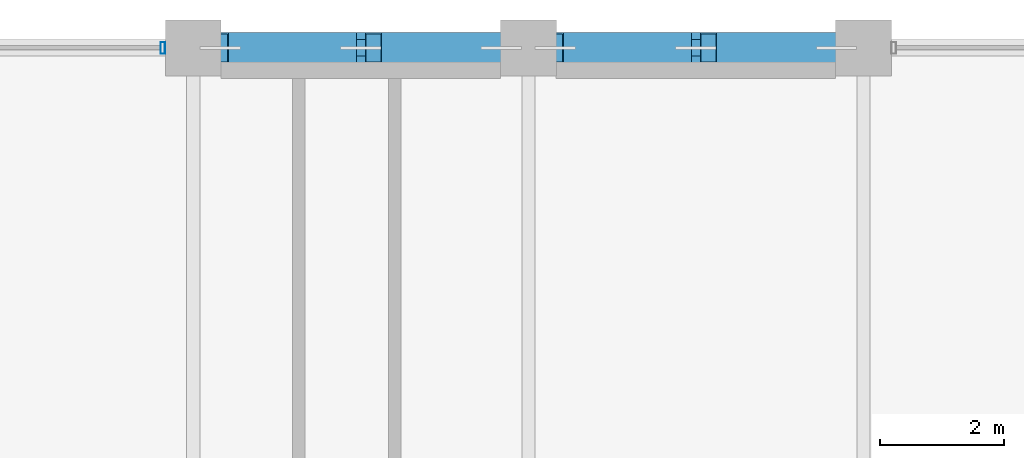
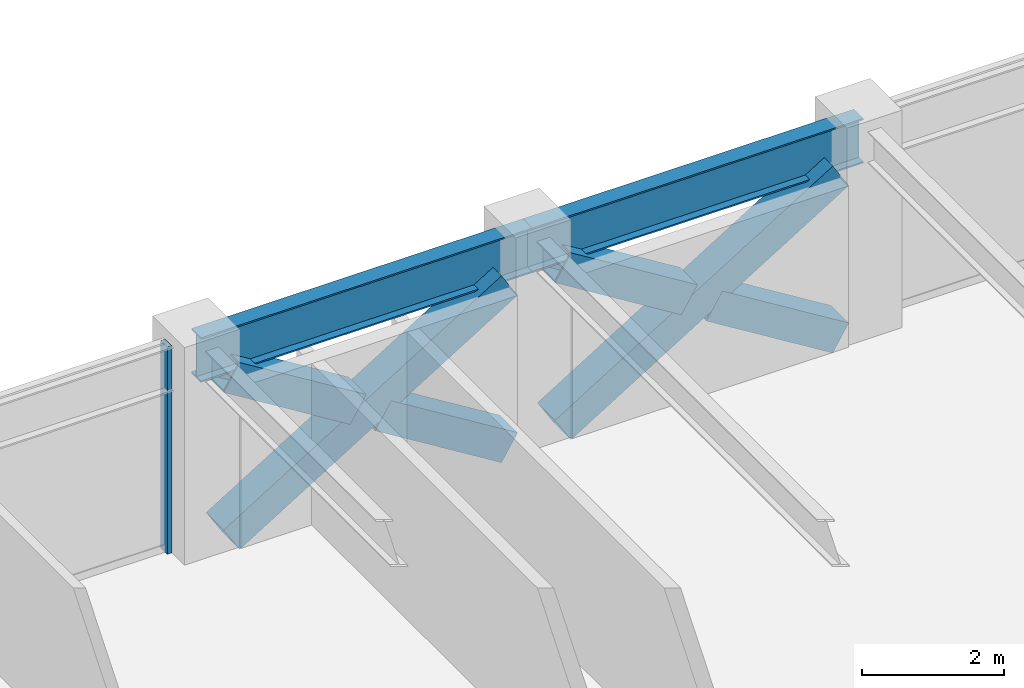
# One storey, part 21 of 32: 7 members, 2 beams, 1 element without a shape of its own.
"""IFC4 building model written with IfcOpenShell, lengths in metres."""

from ifc_helpers import new_model, si_unit, direction, frame, origin, origin_2d, place, context, subcontext, project, spatial, hollow_rectangle, i_section, extrude, material, layer, layer_set, material_profile, profile_set, type_object, element, aggregate, save


model = new_model("IFC4")

# Units and contexts
model_context = context("Model", 3, precision=1e-05, world=origin(), true_north=direction((0.0, 1.0)))
body_context = subcontext(model_context, "Body", "Model", "MODEL_VIEW")
ifc_project = project(units=[si_unit("LENGTHUNIT", "METRE"), si_unit("AREAUNIT", "SQUARE_METRE"), si_unit("VOLUMEUNIT", "CUBIC_METRE"), si_unit("PLANEANGLEUNIT", "RADIAN"), si_unit("MASSUNIT", "GRAM", prefix="KILO")], contexts=[model_context])

# Site, building, storey
site_placement = place(None, origin())
site = spatial("IfcSite", under=ifc_project, at=site_placement, CompositionType="ELEMENT")
building_placement = place(site_placement, origin())
building = spatial("IfcBuilding", under=site, at=building_placement, Name="Surkhivell Harbour Commons", CompositionType="ELEMENT")
storey_placement = place(building_placement, frame((0.0, 0.0, 212.25)))
storey = spatial("IfcBuildingStorey", under=building, at=storey_placement, Name="L55", CompositionType="ELEMENT", Elevation=212.25)

# Beams
ifc_material_1 = material(Name="Steel S355", Category="steel")
ifc_material_profile_1 = material_profile(ifc_material_1, i_section(OverallWidth=0.26806640625, OverallDepth=0.77001953125, WebThickness=0.015625, FlangeThickness=0.025390625, at=origin_2d()), Name="UB762x267x197")
ifc_profile_set_1 = profile_set([ifc_material_profile_1], Name="Steel S355")
beam_type = type_object("IfcBeamType", Name="BM-SPN-762", PredefinedType="SPANDREL", material=ifc_profile_set_1)
for number, where, z_axis, x_axis, name in (
    (1, (-5.39990234375, 25.89990234375, 3.18505859375), (1.0, 0.0, 0.0), (0.0, 1.0, 0.0), "L55 Tube Spandrel (-5.4,25.9)"),
    (2, (0.0, 25.89990234375, 3.18505859375), (1.0, 0.0, 0.0), (0.0, 1.0, 0.0), "L55 Tube Spandrel (-0.0,25.9)"),
):
    element("IfcBeam", number, at=place(storey_placement, frame(where, z_axis=z_axis, x_axis=x_axis)), inside=storey, type_object=beam_type, Name=name, PredefinedType="SPANDREL", context=body_context, shape_type="SweptSolid", body=[
        extrude(i_section(OverallWidth=0.26806640625, OverallDepth=0.77001953125, WebThickness=0.015625, FlangeThickness=0.025390625, at=origin_2d()), origin(), (0.0, 0.0, 1.0), 5.39990234375),
    ])

# Curtain wall, member
ifc_material_2 = material(Name="Anodised pale-metal aluminium and insulated glazing", Category="aluminium")
ifc_layer = layer(ifc_material_2, 0.18994140625)
ifc_layer_set = layer_set([ifc_layer], Name="Anodised pale-metal aluminium and insulated glazing")
curtain_wall_type = type_object("IfcCurtainWallType", Name="CW-SYS-Z3", PredefinedType="NOTDEFINED", material=ifc_layer_set)
curtain_wall_placement = place(storey_placement, origin())
curtain_wall = element("IfcCurtainWall", 3, at=curtain_wall_placement, inside=storey, type_object=curtain_wall_type, Name="L55 Curtain Wall CW-L55-E07S2", PredefinedType="NOTDEFINED")
ifc_material_3 = material(Name="Anodised pale-metal aluminium alloy 6063-T6", Category="aluminium")
ifc_material_profile_2 = material_profile(ifc_material_3, hollow_rectangle(XDim=0.074951171875, YDim=0.18994140625, WallThickness=0.00390625, at=origin_2d()), Name="ALU-MULL-75x190")
ifc_profile_set_2 = profile_set([ifc_material_profile_2], Name="Anodised pale-metal aluminium alloy 6063-T6")
member_type_1 = type_object("IfcMemberType", Name="CWM-190", PredefinedType="MULLION", material=ifc_profile_set_2)
member_1_placement = place(storey_placement, frame((-5.889404296875, 25.89990234375, 0.0), z_axis=(0.0, 0.0, 1.0), x_axis=(-1.0, 0.0, 0.0)))
member_1 = element("IfcMember", 4, at=member_1_placement, type_object=member_type_1, Name="CW-Z3 mullion 1", PredefinedType="MULLION", context=body_context, shape_type="SweptSolid", body=[
    extrude(hollow_rectangle(XDim=0.074951171875, YDim=0.18994140625, WallThickness=0.00390625, at=origin_2d()), origin(), (0.0, 0.0, 1.0), 3.570068359375),
])
aggregate(curtain_wall, [member_1])

# Members
ifc_material_4 = material(Name="Steel S460", Category="steel")
ifc_material_profile_3 = material_profile(ifc_material_4, hollow_rectangle(XDim=0.5, YDim=0.5, WallThickness=0.02490234375, at=origin_2d()), Name="SHS500x500x25")
ifc_profile_set_3 = profile_set([ifc_material_profile_3], Name="Steel S460")
member_type_2 = type_object("IfcMemberType", Name="MEM-BRC-SHS500", PredefinedType="BRACE", material=ifc_profile_set_3)
member_2_placement = place(storey_placement, frame((-4.965087890625, 25.89990234375, 0.008056640625), z_axis=(0.850971032488, 0.0, 0.525212625387), x_axis=(0.0, 1.0, 0.0)))
element("IfcMember", 5, at=member_2_placement, inside=storey, type_object=member_type_2, Name="L55 Perimeter Mega-Brace MB- 01", PredefinedType="BRACE", context=body_context, shape_type="SweptSolid", body=[
    extrude(hollow_rectangle(XDim=0.5, YDim=0.5, WallThickness=0.02490234375, at=origin_2d()), origin(), (0.0, 0.0, 1.0), 5.323486328125),
])
for number, where, z_axis, x_axis, name in (
    (6, (-0.43505859375, 25.89990234375, 0.008056640625), (-0.8510034189, 0.0, 0.525160147974), (0.0, -1.0, 0.0), "L55 Perimeter Mega-Brace MB- 02"),
    (7, (-2.904296875, 25.89990234375, 1.531982421875), (-0.850958361341, 0.0, 0.525233155146), (0.0, -1.0, 0.0), "L55 Perimeter Mega-Brace MB- 03"),
):
    element("IfcMember", number, at=place(storey_placement, frame(where, z_axis=z_axis, x_axis=x_axis)), inside=storey, type_object=member_type_2, Name=name, PredefinedType="BRACE", context=body_context, shape_type="SweptSolid", body=[
        extrude(hollow_rectangle(XDim=0.5, YDim=0.5, WallThickness=0.02490234375, at=origin_2d()), origin(), (0.0, 0.0, 1.0), 2.421630859375),
    ])
member_3_placement = place(storey_placement, frame((0.43505859375, 25.89990234375, 0.008056640625), z_axis=(0.850971032488, 0.0, 0.525212625387), x_axis=(0.0, 1.0, 0.0)))
element("IfcMember", 8, at=member_3_placement, inside=storey, type_object=member_type_2, Name="L55 Perimeter Mega-Brace MB- 04", PredefinedType="BRACE", context=body_context, shape_type="SweptSolid", body=[
    extrude(hollow_rectangle(XDim=0.5, YDim=0.5, WallThickness=0.02490234375, at=origin_2d()), origin(), (0.0, 0.0, 1.0), 5.323486328125),
])
for number, where, z_axis, x_axis, name in (
    (9, (4.965087890625, 25.89990234375, 0.008056640625), (-0.8510034189, 0.0, 0.525160147974), (0.0, -1.0, 0.0), "L55 Perimeter Mega-Brace MB- 05"),
    (10, (2.495849609375, 25.89990234375, 1.531982421875), (-0.850958361341, 0.0, 0.525233155146), (0.0, -1.0, 0.0), "L55 Perimeter Mega-Brace MB- 06"),
):
    element("IfcMember", number, at=place(storey_placement, frame(where, z_axis=z_axis, x_axis=x_axis)), inside=storey, type_object=member_type_2, Name=name, PredefinedType="BRACE", context=body_context, shape_type="SweptSolid", body=[
        extrude(hollow_rectangle(XDim=0.5, YDim=0.5, WallThickness=0.02490234375, at=origin_2d()), origin(), (0.0, 0.0, 1.0), 2.421630859375),
    ])

save(model, "model.ifc")
